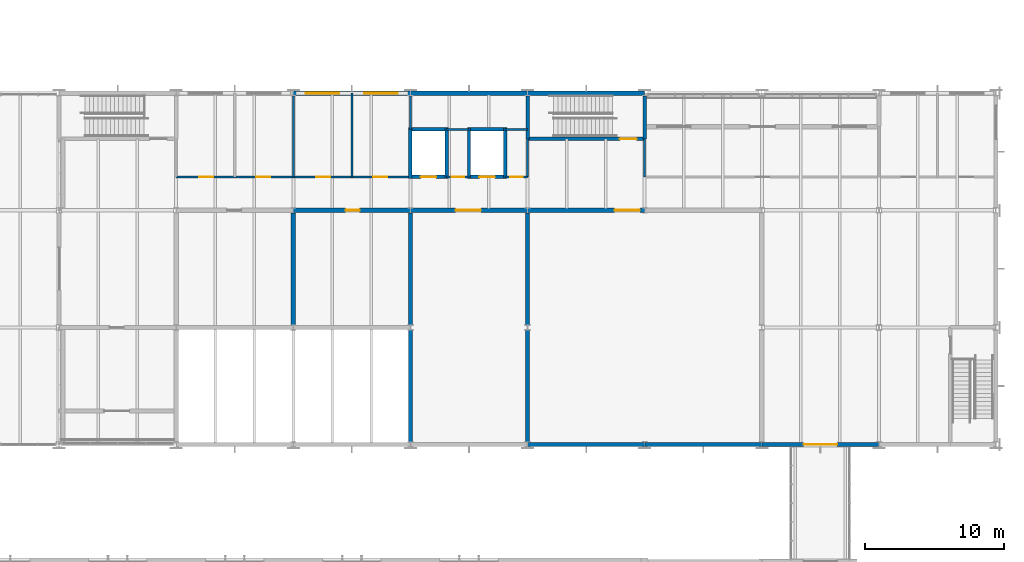
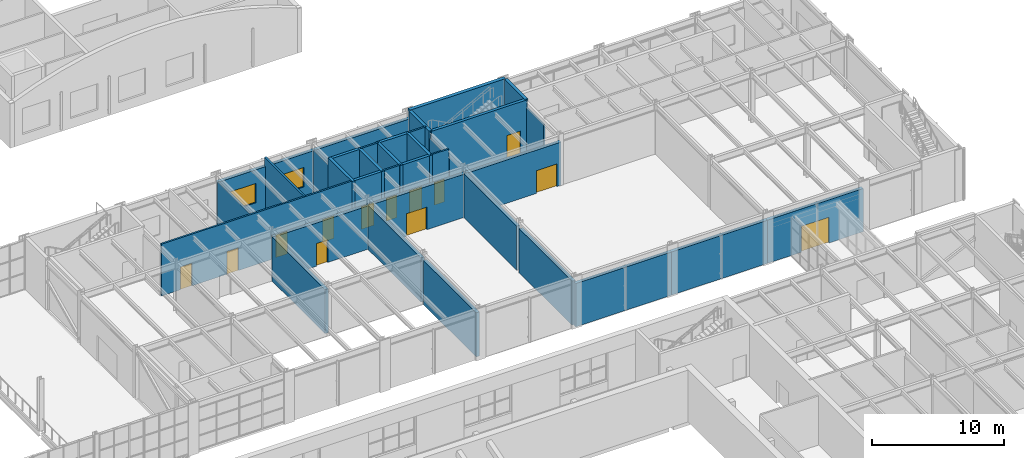
# One storey, part 82 of 127: 35 walls, 13 doors, 2 windows, 15 openings.
"""IFC4 building model written with IfcOpenShell, lengths in metres."""

from ifc_helpers import new_model, si_unit, direction, frame, frame_2d, origin, place, context, subcontext, project, spatial, rectangle, extrude, material, layer, layer_set, type_object, element, fill, save


model = new_model("IFC4")

# Units and contexts
model_context = context("Model", 3, precision=1e-05, world=origin(), true_north=direction((0.0, 1.0)))
body_context = subcontext(model_context, "Body", "Model", "MODEL_VIEW")
ifc_project = project(units=[si_unit("LENGTHUNIT", "METRE"), si_unit("AREAUNIT", "SQUARE_METRE"), si_unit("VOLUMEUNIT", "CUBIC_METRE"), si_unit("PLANEANGLEUNIT", "RADIAN"), si_unit("MASSUNIT", "GRAM", prefix="KILO")], contexts=[model_context])

# Site, building, storey
site_placement = place(None, origin())
site = spatial("IfcSite", under=ifc_project, at=site_placement, CompositionType="ELEMENT")
building_placement = place(site_placement, origin())
building = spatial("IfcBuilding", under=site, at=building_placement, Name="Ljudholm Concert House", CompositionType="ELEMENT")
storey_placement = place(building_placement, frame((0.0, 0.0, 5.39990234375)))
storey = spatial("IfcBuildingStorey", under=building, at=storey_placement, Name="L01", CompositionType="ELEMENT", Elevation=5.39990234375)

# Walls
ifc_material_1 = material(Name="Double gypsum board on staggered studs")
ifc_layer_1 = layer(ifc_material_1, 0.300048828125)
ifc_layer_set_1 = layer_set([ifc_layer_1], Name="Double gypsum board on staggered studs")
wall_type_1 = type_object("IfcWallType", Name="ACOUSTIC PARTITION 300", PredefinedType="PARTITIONING", material=ifc_layer_set_1)
wall_1_placement = place(storey_placement, frame((71.199951171875, 113.38671875, 0.0), z_axis=(0.0, 0.0, 1.0), x_axis=(0.0, 1.0, 0.0)))
element("IfcWall", 1, at=wall_1_placement, inside=storey, type_object=wall_type_1, Name="Acoustic partition", PredefinedType="PARTITIONING", context=body_context, shape_type="SweptSolid", body=[
    extrude(rectangle(XDim=8.026611328125, YDim=0.300048828125, at=frame_2d((4.01318359375, 0.0))), origin(), (0.0, 0.0, 1.0), 4.086669921875),
])
wall_2_placement = place(storey_placement, frame((79.60009765625, 104.986572265625, 0.0), z_axis=(0.0, 0.0, 1.0), x_axis=(0.0, 1.0, 0.0)))
element("IfcWall", 2, at=wall_2_placement, inside=storey, type_object=wall_type_1, Name="Acoustic partition", PredefinedType="PARTITIONING", context=body_context, shape_type="SweptSolid", body=[
    extrude(rectangle(XDim=8.02685546875, YDim=0.300048828125, at=frame_2d((4.013427734375, 0.0))), origin(), (0.0, 0.0, 1.0), 4.086669921875),
])
wall_3_placement = place(storey_placement, frame((79.60009765625, 113.38671875, 0.0), z_axis=(0.0, 0.0, 1.0), x_axis=(0.0, 1.0, 0.0)))
element("IfcWall", 3, at=wall_3_placement, inside=storey, type_object=wall_type_1, Name="Acoustic partition", PredefinedType="PARTITIONING", context=body_context, shape_type="SweptSolid", body=[
    extrude(rectangle(XDim=8.026611328125, YDim=0.300048828125, at=frame_2d((4.01318359375, 0.0))), origin(), (0.0, 0.0, 1.0), 4.086669921875),
])
wall_4_placement = place(storey_placement, frame((88.0, 104.986572265625, 0.0), z_axis=(0.0, 0.0, 1.0), x_axis=(0.0, 1.0, 0.0)))
element("IfcWall", 4, at=wall_4_placement, inside=storey, type_object=wall_type_1, Name="Acoustic partition", PredefinedType="PARTITIONING", context=body_context, shape_type="SweptSolid", body=[
    extrude(rectangle(XDim=8.02685546875, YDim=0.300048828125, at=frame_2d((4.013427734375, 0.0))), origin(), (0.0, 0.0, 1.0), 4.086669921875),
])
wall_5_placement = place(storey_placement, frame((88.0, 113.38671875, 0.0), z_axis=(0.0, 0.0, 1.0), x_axis=(0.0, 1.0, 0.0)))
element("IfcWall", 5, at=wall_5_placement, inside=storey, type_object=wall_type_1, Name="Acoustic partition", PredefinedType="PARTITIONING", context=body_context, shape_type="SweptSolid", body=[
    extrude(rectangle(XDim=8.026611328125, YDim=0.300048828125, at=frame_2d((4.01318359375, 0.0))), origin(), (0.0, 0.0, 1.0), 4.086669921875),
])

# Wall, opening, door
wall_6_placement = place(storey_placement, frame((71.19189453125, 121.60009765625, 0.0), z_axis=(0.0, 0.0, 1.0), x_axis=(1.0, 0.0, 0.0)))
wall_6 = element("IfcWall", 6, at=wall_6_placement, inside=storey, type_object=wall_type_1, Name="Acoustic partition", PredefinedType="PARTITIONING", context=body_context, shape_type="SweptSolid", body=[
    extrude(rectangle(XDim=8.416259765625, YDim=0.300048828125, at=frame_2d((4.2080078125, 0.0))), origin(), (0.0, 0.0, 1.0), 4.008056640625),
])
opening_1_placement = place(wall_6_placement, frame((3.75830078125, 0.0, 0.0)))
opening_1 = element("IfcOpeningElement", 7, at=opening_1_placement, cuts=wall_6, Name="Opening D-R01-010", PredefinedType="OPENING", context=body_context, shape_type="SweptSolid", body=[
    extrude(rectangle(XDim=1.0, YDim=2.10009765625, at=frame_2d((0.5, 1.050048828125))), frame((0.0, 0.159912109375, 0.0), z_axis=(0.0, -1.0, 0.0), x_axis=(1.0, 0.0, 0.0)), (0.0, 0.0, 1.0), 0.320068359375),
])
ifc_material_2 = material(Name="Hollow metal door in steel frame", Category="steel")
door_type_1 = type_object("IfcDoorType", Name="SWING DOOR 1000x2100", OperationType="SINGLE_SWING_LEFT", PredefinedType="DOOR", material=ifc_material_2)
door_1_placement = place(opening_1_placement, frame((1.0, 0.0, 0.0), z_axis=(0.0, 0.0, 1.0), x_axis=(-1.0, 0.0, 0.0)))
door_1 = element("IfcDoor", 8, at=door_1_placement, inside=storey, type_object=door_type_1, Name="Door", OperationType="SINGLE_SWING_LEFT", OverallHeight=2.10009765625, OverallWidth=1.0, PredefinedType="DOOR", context=body_context, shape_type="SweptSolid", body=[
    extrude(rectangle(XDim=1.0, YDim=2.10009765625, at=frame_2d((0.5, 1.050048828125))), frame((0.0, 0.02490234375, 0.0), z_axis=(0.0, -1.0, 0.0), x_axis=(1.0, 0.0, 0.0)), (0.0, 0.0, 1.0), 0.050048828125),
])
fill(opening_1, door_1)

wall_7_placement = place(storey_placement, frame((79.591796875, 121.60009765625, 0.0), z_axis=(0.0, 0.0, 1.0), x_axis=(1.0, 0.0, 0.0)))
wall_7 = element("IfcWall", 9, at=wall_7_placement, inside=storey, type_object=wall_type_1, Name="Acoustic partition", PredefinedType="PARTITIONING", context=body_context, shape_type="SweptSolid", body=[
    extrude(rectangle(XDim=8.41650390625, YDim=0.300048828125, at=frame_2d((4.208251953125, 0.0))), origin(), (0.0, 0.0, 1.0), 4.008056640625),
])
opening_2_placement = place(wall_7_placement, frame((3.25830078125, 0.0, 0.0)))
opening_2 = element("IfcOpeningElement", 10, at=opening_2_placement, cuts=wall_7, Name="Opening D-R01-011", PredefinedType="OPENING", context=body_context, shape_type="SweptSolid", body=[
    extrude(rectangle(XDim=1.800048828125, YDim=2.10009765625, at=frame_2d((0.89990234375, 1.050048828125))), frame((0.0, 0.159912109375, 0.0), z_axis=(0.0, -1.0, 0.0), x_axis=(1.0, 0.0, 0.0)), (0.0, 0.0, 1.0), 0.320068359375),
])
ifc_material_3 = material(Name="Hollow metal door in steel frame", Category="steel")
door_type_2 = type_object("IfcDoorType", Name="DOUBLE DOOR 1800x2100", OperationType="DOUBLE_DOOR_SINGLE_SWING", PredefinedType="DOOR", material=ifc_material_3)
door_2_placement = place(opening_2_placement, frame((1.800048828125, 0.0, 0.0), z_axis=(0.0, 0.0, 1.0), x_axis=(-1.0, 0.0, 0.0)))
door_2 = element("IfcDoor", 11, at=door_2_placement, inside=storey, type_object=door_type_2, Name="Door", OperationType="DOUBLE_DOOR_SINGLE_SWING", OverallHeight=2.10009765625, OverallWidth=1.800048828125, PredefinedType="DOOR", context=body_context, shape_type="SweptSolid", body=[
    extrude(rectangle(XDim=1.800048828125, YDim=2.10009765625, at=frame_2d((0.89990234375, 1.050048828125))), frame((0.0, 0.02490234375, 0.0), z_axis=(0.0, -1.0, 0.0), x_axis=(1.0, 0.0, 0.0)), (0.0, 0.0, 1.0), 0.050048828125),
])
fill(opening_2, door_2)

wall_8_placement = place(storey_placement, frame((87.99169921875, 121.60009765625, 0.0), z_axis=(0.0, 0.0, 1.0), x_axis=(1.0, 0.0, 0.0)))
wall_8 = element("IfcWall", 12, at=wall_8_placement, inside=storey, type_object=wall_type_1, Name="Acoustic partition", PredefinedType="PARTITIONING", context=body_context, shape_type="SweptSolid", body=[
    extrude(rectangle(XDim=8.41650390625, YDim=0.300048828125, at=frame_2d((4.208251953125, 0.0))), origin(), (0.0, 0.0, 1.0), 4.008056640625),
])
opening_3_placement = place(wall_8_placement, frame((6.25830078125, 0.0, 0.0)))
opening_3 = element("IfcOpeningElement", 13, at=opening_3_placement, cuts=wall_8, Name="Opening D-R01-012", PredefinedType="OPENING", context=body_context, shape_type="SweptSolid", body=[
    extrude(rectangle(XDim=1.800048828125, YDim=2.10009765625, at=frame_2d((0.89990234375, 1.050048828125))), frame((0.0, 0.159912109375, 0.0), z_axis=(0.0, -1.0, 0.0), x_axis=(1.0, 0.0, 0.0)), (0.0, 0.0, 1.0), 0.320068359375),
])
door_3_placement = place(opening_3_placement, frame((1.800048828125, 0.0, 0.0), z_axis=(0.0, 0.0, 1.0), x_axis=(-1.0, 0.0, 0.0)))
door_3 = element("IfcDoor", 14, at=door_3_placement, inside=storey, type_object=door_type_2, Name="Door", OperationType="DOUBLE_DOOR_SINGLE_SWING", OverallHeight=2.10009765625, OverallWidth=1.800048828125, PredefinedType="DOOR", context=body_context, shape_type="SweptSolid", body=[
    extrude(rectangle(XDim=1.800048828125, YDim=2.10009765625, at=frame_2d((0.89990234375, 1.050048828125))), frame((0.0, 0.02490234375, 0.0), z_axis=(0.0, -1.0, 0.0), x_axis=(1.0, 0.0, 0.0)), (0.0, 0.0, 1.0), 0.050048828125),
])
fill(opening_3, door_3)

# Walls
ifc_material_4 = material(Name="Gypsum board on steel studs", Category="steel")
ifc_layer_2 = layer(ifc_material_4, 0.14990234375)
ifc_layer_set_2 = layer_set([ifc_layer_2], Name="Gypsum board on steel studs")
wall_type_2 = type_object("IfcWallType", Name="GYPSUM PARTITION 150", PredefinedType="PARTITIONING", material=ifc_layer_set_2)
wall_9_placement = place(storey_placement, frame((71.199951171875, 124.0, 0.0), z_axis=(0.0, 0.0, 1.0), x_axis=(0.0, 1.0, 0.0)))
element("IfcWall", 15, at=wall_9_placement, inside=storey, type_object=wall_type_2, Name="Partition", PredefinedType="PARTITIONING", context=body_context, shape_type="SweptSolid", body=[
    extrude(rectangle(XDim=5.813232421875, YDim=0.14990234375, at=frame_2d((2.90673828125, 0.0))), origin(), (0.0, 0.0, 1.0), 4.086669921875),
])
wall_10_placement = place(storey_placement, frame((75.39990234375, 124.0, 0.0), z_axis=(0.0, 0.0, 1.0), x_axis=(0.0, 1.0, 0.0)))
element("IfcWall", 16, at=wall_10_placement, inside=storey, type_object=wall_type_2, Name="Partition", PredefinedType="PARTITIONING", context=body_context, shape_type="SweptSolid", body=[
    extrude(rectangle(XDim=6.0, YDim=0.14990234375, at=frame_2d((3.0, 0.0))), origin(), (0.0, 0.0, 1.0), 4.800048828125),
])
wall_11_placement = place(storey_placement, frame((79.60009765625, 127.39990234375, 0.0), z_axis=(0.0, 0.0, 1.0), x_axis=(0.0, 1.0, 0.0)))
element("IfcWall", 17, at=wall_11_placement, inside=storey, type_object=wall_type_2, Name="Partition", PredefinedType="PARTITIONING", context=body_context, shape_type="SweptSolid", body=[
    extrude(rectangle(XDim=2.413330078125, YDim=0.14990234375, at=frame_2d((1.20654296875, 0.0))), origin(), (0.0, 0.0, 1.0), 4.086669921875),
])
for number, where, z_axis, x_axis, name in (
    (18, (88.0, 124.0, 0.0), (0.0, 0.0, 1.0), (0.0, 1.0, 0.0), "Partition"),
    (19, (96.39990234375, 124.0, 0.0), (0.0, 0.0, 1.0), (0.0, 1.0, 0.0), "Partition"),
):
    element("IfcWall", number, at=place(storey_placement, frame(where, z_axis=z_axis, x_axis=x_axis)), inside=storey, type_object=wall_type_2, Name=name, PredefinedType="PARTITIONING", context=body_context, shape_type="SweptSolid", body=[
        extrude(rectangle(XDim=2.72509765625, YDim=0.14990234375, at=frame_2d((1.362548828125, 0.0))), origin(), (0.0, 0.0, 1.0), 4.086669921875),
    ])

# Wall, openings, doors
wall_12_placement = place(storey_placement, frame((62.800048828125, 124.0, 0.0), z_axis=(0.0, 0.0, 1.0), x_axis=(1.0, 0.0, 0.0)))
wall_12 = element("IfcWall", 20, at=wall_12_placement, inside=storey, type_object=wall_type_2, Name="Partition", PredefinedType="PARTITIONING", context=body_context, shape_type="SweptSolid", body=[
    extrude(rectangle(XDim=16.800048828125, YDim=0.14990234375, at=frame_2d((8.39990234375, 0.0))), origin(), (0.0, 0.0, 1.0), 4.800048828125),
])
opening_4_placement = place(wall_12_placement, frame((1.64990234375, 0.0, 0.0)))
opening_4 = element("IfcOpeningElement", 21, at=opening_4_placement, cuts=wall_12, Name="Opening D-R01-014", PredefinedType="OPENING", context=body_context, shape_type="SweptSolid", body=[
    extrude(rectangle(XDim=1.0, YDim=2.10009765625, at=frame_2d((0.5, 1.050048828125))), frame((0.0, 0.0849609375, 0.0), z_axis=(0.0, -1.0, 0.0), x_axis=(1.0, 0.0, 0.0)), (0.0, 0.0, 1.0), 0.169921875),
])
opening_5_placement = place(wall_12_placement, frame((5.75, 0.0, 0.0)))
opening_5 = element("IfcOpeningElement", 22, at=opening_5_placement, cuts=wall_12, Name="Opening D-R01-015", PredefinedType="OPENING", context=body_context, shape_type="SweptSolid", body=[
    extrude(rectangle(XDim=1.0, YDim=2.10009765625, at=frame_2d((0.5, 1.050048828125))), frame((0.0, 0.0849609375, 0.0), z_axis=(0.0, -1.0, 0.0), x_axis=(1.0, 0.0, 0.0)), (0.0, 0.0, 1.0), 0.169921875),
])
opening_6_placement = place(wall_12_placement, frame((10.050048828125, 0.0, 0.0)))
opening_6 = element("IfcOpeningElement", 23, at=opening_6_placement, cuts=wall_12, Name="Opening D-R01-016", PredefinedType="OPENING", context=body_context, shape_type="SweptSolid", body=[
    extrude(rectangle(XDim=1.0, YDim=2.10009765625, at=frame_2d((0.5, 1.050048828125))), frame((0.0, 0.0849609375, 0.0), z_axis=(0.0, -1.0, 0.0), x_axis=(1.0, 0.0, 0.0)), (0.0, 0.0, 1.0), 0.169921875),
])
opening_7_placement = place(wall_12_placement, frame((14.14990234375, 0.0, 0.0)))
opening_7 = element("IfcOpeningElement", 24, at=opening_7_placement, cuts=wall_12, Name="Opening D-R01-017", PredefinedType="OPENING", context=body_context, shape_type="SweptSolid", body=[
    extrude(rectangle(XDim=1.0, YDim=2.10009765625, at=frame_2d((0.5, 1.050048828125))), frame((0.0, 0.0849609375, 0.0), z_axis=(0.0, -1.0, 0.0), x_axis=(1.0, 0.0, 0.0)), (0.0, 0.0, 1.0), 0.169921875),
])
door_4_placement = place(opening_4_placement, origin())
door_4 = element("IfcDoor", 25, at=door_4_placement, inside=storey, type_object=door_type_1, Name="Door", OperationType="SINGLE_SWING_RIGHT", OverallHeight=2.10009765625, OverallWidth=1.0, PredefinedType="DOOR", context=body_context, shape_type="SweptSolid", body=[
    extrude(rectangle(XDim=1.0, YDim=2.10009765625, at=frame_2d((0.5, 1.050048828125))), frame((0.0, 0.02490234375, 0.0), z_axis=(0.0, -1.0, 0.0), x_axis=(1.0, 0.0, 0.0)), (0.0, 0.0, 1.0), 0.050048828125),
])
fill(opening_4, door_4)
door_5_placement = place(opening_5_placement, origin())
door_5 = element("IfcDoor", 26, at=door_5_placement, inside=storey, type_object=door_type_1, Name="Door", OperationType="SINGLE_SWING_LEFT", OverallHeight=2.10009765625, OverallWidth=1.0, PredefinedType="DOOR", context=body_context, shape_type="SweptSolid", body=[
    extrude(rectangle(XDim=1.0, YDim=2.10009765625, at=frame_2d((0.5, 1.050048828125))), frame((0.0, 0.02490234375, 0.0), z_axis=(0.0, -1.0, 0.0), x_axis=(1.0, 0.0, 0.0)), (0.0, 0.0, 1.0), 0.050048828125),
])
fill(opening_5, door_5)
door_6_placement = place(opening_6_placement, origin())
door_6 = element("IfcDoor", 27, at=door_6_placement, inside=storey, type_object=door_type_1, Name="Door", OperationType="SINGLE_SWING_LEFT", OverallHeight=2.10009765625, OverallWidth=1.0, PredefinedType="DOOR", context=body_context, shape_type="SweptSolid", body=[
    extrude(rectangle(XDim=1.0, YDim=2.10009765625, at=frame_2d((0.5, 1.050048828125))), frame((0.0, 0.02490234375, 0.0), z_axis=(0.0, -1.0, 0.0), x_axis=(1.0, 0.0, 0.0)), (0.0, 0.0, 1.0), 0.050048828125),
])
fill(opening_6, door_6)
door_7_placement = place(opening_7_placement, origin())
door_7 = element("IfcDoor", 28, at=door_7_placement, inside=storey, type_object=door_type_1, Name="Door", OperationType="SINGLE_SWING_RIGHT", OverallHeight=2.10009765625, OverallWidth=1.0, PredefinedType="DOOR", context=body_context, shape_type="SweptSolid", body=[
    extrude(rectangle(XDim=1.0, YDim=2.10009765625, at=frame_2d((0.5, 1.050048828125))), frame((0.0, 0.02490234375, 0.0), z_axis=(0.0, -1.0, 0.0), x_axis=(1.0, 0.0, 0.0)), (0.0, 0.0, 1.0), 0.050048828125),
])
fill(opening_7, door_7)

# Wall, opening, door
wall_13_placement = place(storey_placement, frame((82.199951171875, 124.0, 0.0), z_axis=(0.0, 0.0, 1.0), x_axis=(1.0, 0.0, 0.0)))
wall_13 = element("IfcWall", 29, at=wall_13_placement, inside=storey, type_object=wall_type_2, Name="Partition", PredefinedType="PARTITIONING", context=body_context, shape_type="SweptSolid", body=[
    extrude(rectangle(XDim=1.60009765625, YDim=0.14990234375, at=frame_2d((0.800048828125, 0.0))), origin(), (0.0, 0.0, 1.0), 4.800048828125),
])
opening_8_placement = place(wall_13_placement, frame((0.35009765625, 0.0, 0.0)))
opening_8 = element("IfcOpeningElement", 30, at=opening_8_placement, cuts=wall_13, Name="Opening D-R01-006", PredefinedType="OPENING", context=body_context, shape_type="SweptSolid", body=[
    extrude(rectangle(XDim=0.89990234375, YDim=2.10009765625, at=frame_2d((0.449951171875, 1.050048828125))), frame((0.0, 0.0849609375, 0.0), z_axis=(0.0, -1.0, 0.0), x_axis=(1.0, 0.0, 0.0)), (0.0, 0.0, 1.0), 0.169921875),
])
ifc_material_5 = material(Name="Hollow metal door in steel frame", Category="steel")
door_type_3 = type_object("IfcDoorType", Name="SWING DOOR 900x2100", OperationType="SINGLE_SWING_LEFT", PredefinedType="DOOR", material=ifc_material_5)
door_8_placement = place(opening_8_placement, origin())
door_8 = element("IfcDoor", 31, at=door_8_placement, inside=storey, type_object=door_type_3, Name="Door", OperationType="SINGLE_SWING_RIGHT", OverallHeight=2.10009765625, OverallWidth=0.89990234375, PredefinedType="DOOR", context=body_context, shape_type="SweptSolid", body=[
    extrude(rectangle(XDim=0.89990234375, YDim=2.10009765625, at=frame_2d((0.449951171875, 1.050048828125))), frame((0.0, 0.02490234375, 0.0), z_axis=(0.0, -1.0, 0.0), x_axis=(1.0, 0.0, 0.0)), (0.0, 0.0, 1.0), 0.050048828125),
])
fill(opening_8, door_8)

wall_14_placement = place(storey_placement, frame((86.39990234375, 124.0, 0.0), z_axis=(0.0, 0.0, 1.0), x_axis=(1.0, 0.0, 0.0)))
wall_14 = element("IfcWall", 32, at=wall_14_placement, inside=storey, type_object=wall_type_2, Name="Partition", PredefinedType="PARTITIONING", context=body_context, shape_type="SweptSolid", body=[
    extrude(rectangle(XDim=1.60009765625, YDim=0.14990234375, at=frame_2d((0.800048828125, 0.0))), origin(), (0.0, 0.0, 1.0), 4.800048828125),
])
opening_9_placement = place(wall_14_placement, frame((0.35009765625, 0.0, 0.0)))
opening_9 = element("IfcOpeningElement", 33, at=opening_9_placement, cuts=wall_14, Name="Opening D-R01-007", PredefinedType="OPENING", context=body_context, shape_type="SweptSolid", body=[
    extrude(rectangle(XDim=0.89990234375, YDim=2.10009765625, at=frame_2d((0.449951171875, 1.050048828125))), frame((0.0, 0.0849609375, 0.0), z_axis=(0.0, -1.0, 0.0), x_axis=(1.0, 0.0, 0.0)), (0.0, 0.0, 1.0), 0.169921875),
])
door_9_placement = place(opening_9_placement, origin())
door_9 = element("IfcDoor", 34, at=door_9_placement, inside=storey, type_object=door_type_3, Name="Door", OperationType="SINGLE_SWING_LEFT", OverallHeight=2.10009765625, OverallWidth=0.89990234375, PredefinedType="DOOR", context=body_context, shape_type="SweptSolid", body=[
    extrude(rectangle(XDim=0.89990234375, YDim=2.10009765625, at=frame_2d((0.449951171875, 1.050048828125))), frame((0.0, 0.02490234375, 0.0), z_axis=(0.0, -1.0, 0.0), x_axis=(1.0, 0.0, 0.0)), (0.0, 0.0, 1.0), 0.050048828125),
])
fill(opening_9, door_9)

# Walls
for number, where, z_axis, x_axis, name in (
    (35, (82.199951171875, 127.39990234375, 0.0), (0.0, 0.0, 1.0), (1.0, 0.0, 0.0), "Partition"),
    (36, (86.39990234375, 127.39990234375, 0.0), (0.0, 0.0, 1.0), (1.0, 0.0, 0.0), "Partition"),
):
    element("IfcWall", number, at=place(storey_placement, frame(where, z_axis=z_axis, x_axis=x_axis)), inside=storey, type_object=wall_type_2, Name=name, PredefinedType="PARTITIONING", context=body_context, shape_type="SweptSolid", body=[
        extrude(rectangle(XDim=1.60009765625, YDim=0.14990234375, at=frame_2d((0.800048828125, 0.0))), origin(), (0.0, 0.0, 1.0), 4.800048828125),
    ])
ifc_material_6 = material(Name="Precast concrete 5,000 psi", Category="concrete")
ifc_layer_3 = layer(ifc_material_6, 0.300048828125)
ifc_layer_set_3 = layer_set([ifc_layer_3], Name="Precast concrete 5,000 psi")
wall_type_3 = type_object("IfcWallType", Name="PRECAST PANEL WALL 300", PredefinedType="SOLIDWALL", material=ifc_layer_set_3)
wall_15_placement = place(storey_placement, frame((87.99169921875, 104.800048828125, 0.0), z_axis=(0.0, 0.0, 1.0), x_axis=(1.0, 0.0, 0.0)))
element("IfcWall", 37, at=wall_15_placement, inside=storey, type_object=wall_type_3, Name="Facade wall", PredefinedType="SOLIDWALL", context=body_context, shape_type="SweptSolid", body=[
    extrude(rectangle(XDim=8.41650390625, YDim=0.300048828125, at=frame_2d((4.208251953125, 0.0))), origin(), (0.0, 0.0, 1.0), 4.008056640625),
])
wall_16_placement = place(storey_placement, frame((96.391845703125, 104.800048828125, 0.0), z_axis=(0.0, 0.0, 1.0), x_axis=(1.0, 0.0, 0.0)))
element("IfcWall", 38, at=wall_16_placement, inside=storey, type_object=wall_type_3, Name="Facade wall", PredefinedType="SOLIDWALL", context=body_context, shape_type="SweptSolid", body=[
    extrude(rectangle(XDim=8.416259765625, YDim=0.300048828125, at=frame_2d((4.2080078125, 0.0))), origin(), (0.0, 0.0, 1.0), 4.008056640625),
])

# Wall, opening, door
wall_17_placement = place(storey_placement, frame((104.791748046875, 104.800048828125, 0.0), z_axis=(0.0, 0.0, 1.0), x_axis=(1.0, 0.0, 0.0)))
wall_17 = element("IfcWall", 39, at=wall_17_placement, inside=storey, type_object=wall_type_3, Name="Facade wall", PredefinedType="SOLIDWALL", context=body_context, shape_type="SweptSolid", body=[
    extrude(rectangle(XDim=8.41650390625, YDim=0.300048828125, at=frame_2d((4.208251953125, 0.0))), origin(), (0.0, 0.0, 1.0), 4.008056640625),
])
opening_10_placement = place(wall_17_placement, frame((3.00830078125, 0.0, 0.0)))
opening_10 = element("IfcOpeningElement", 40, at=opening_10_placement, cuts=wall_17, Name="Opening D-R01-022", PredefinedType="OPENING", context=body_context, shape_type="SweptSolid", body=[
    extrude(rectangle(XDim=2.39990234375, YDim=2.39990234375, at=frame_2d((1.199951171875, 1.199951171875))), frame((0.0, 0.159912109375, 0.0), z_axis=(0.0, -1.0, 0.0), x_axis=(1.0, 0.0, 0.0)), (0.0, 0.0, 1.0), 0.320068359375),
])
ifc_material_7 = material(Name="Hollow metal door in steel frame", Category="steel")
door_type_4 = type_object("IfcDoorType", Name="DOUBLE DOOR 2400x2400", OperationType="DOUBLE_DOOR_SINGLE_SWING", PredefinedType="DOOR", material=ifc_material_7)
door_10_placement = place(opening_10_placement, frame((2.39990234375, 0.0, 0.0), z_axis=(0.0, 0.0, 1.0), x_axis=(-1.0, 0.0, 0.0)))
door_10 = element("IfcDoor", 41, at=door_10_placement, inside=storey, type_object=door_type_4, Name="Bridge door", OperationType="DOUBLE_DOOR_SINGLE_SWING", OverallHeight=2.39990234375, OverallWidth=2.39990234375, PredefinedType="DOOR", context=body_context, shape_type="SweptSolid", body=[
    extrude(rectangle(XDim=2.39990234375, YDim=2.39990234375, at=frame_2d((1.199951171875, 1.199951171875))), frame((0.0, 0.02490234375, 0.0), z_axis=(0.0, -1.0, 0.0), x_axis=(1.0, 0.0, 0.0)), (0.0, 0.0, 1.0), 0.050048828125),
])
fill(opening_10, door_10)

# Wall, openings, windows
wall_18_placement = place(storey_placement, frame((71.19189453125, 130.0, 0.0), z_axis=(0.0, 0.0, 1.0), x_axis=(1.0, 0.0, 0.0)))
wall_18 = element("IfcWall", 42, at=wall_18_placement, inside=storey, type_object=wall_type_3, Name="Facade wall", PredefinedType="SOLIDWALL", context=body_context, shape_type="SweptSolid", body=[
    extrude(rectangle(XDim=8.416259765625, YDim=0.300048828125, at=frame_2d((4.2080078125, 0.0))), origin(), (0.0, 0.0, 1.0), 4.008056640625),
])
opening_11_placement = place(wall_18_placement, frame((0.908203125, 0.0, 0.949951171875)))
opening_11 = element("IfcOpeningElement", 43, at=opening_11_placement, cuts=wall_18, Name="Opening X-R01-003", PredefinedType="OPENING", context=body_context, shape_type="SweptSolid", body=[
    extrude(rectangle(XDim=2.39990234375, YDim=1.800048828125, at=frame_2d((1.199951171875, 0.89990234375))), frame((0.0, 0.159912109375, 0.0), z_axis=(0.0, -1.0, 0.0), x_axis=(1.0, 0.0, 0.0)), (0.0, 0.0, 1.0), 0.320068359375),
])
opening_12_placement = place(wall_18_placement, frame((5.108154296875, 0.0, 0.949951171875)))
opening_12 = element("IfcOpeningElement", 44, at=opening_12_placement, cuts=wall_18, Name="Opening X-R01-004", PredefinedType="OPENING", context=body_context, shape_type="SweptSolid", body=[
    extrude(rectangle(XDim=2.39990234375, YDim=1.800048828125, at=frame_2d((1.199951171875, 0.89990234375))), frame((0.0, 0.159912109375, 0.0), z_axis=(0.0, -1.0, 0.0), x_axis=(1.0, 0.0, 0.0)), (0.0, 0.0, 1.0), 0.320068359375),
])
ifc_material_8 = material(Name="Aluminium frame, impact glazing", Category="aluminium")
window_type = type_object("IfcWindowType", Name="CASEMENT WINDOW 2400x1800", PartitioningType="DOUBLE_PANEL_VERTICAL", PredefinedType="WINDOW", material=ifc_material_8)
window_1_placement = place(opening_11_placement, origin())
window_1 = element("IfcWindow", 45, at=window_1_placement, inside=storey, type_object=window_type, Name="Window", OverallHeight=1.800048828125, OverallWidth=2.39990234375, PartitioningType="DOUBLE_PANEL_VERTICAL", PredefinedType="WINDOW", context=body_context, shape_type="SweptSolid", body=[
    extrude(rectangle(XDim=2.39990234375, YDim=1.800048828125, at=frame_2d((1.199951171875, 0.89990234375))), frame((0.0, 0.030029296875, 0.0), z_axis=(0.0, -1.0, 0.0), x_axis=(1.0, 0.0, 0.0)), (0.0, 0.0, 1.0), 0.06005859375),
])
fill(opening_11, window_1)
window_2_placement = place(opening_12_placement, origin())
window_2 = element("IfcWindow", 46, at=window_2_placement, inside=storey, type_object=window_type, Name="Window", OverallHeight=1.800048828125, OverallWidth=2.39990234375, PartitioningType="DOUBLE_PANEL_VERTICAL", PredefinedType="WINDOW", context=body_context, shape_type="SweptSolid", body=[
    extrude(rectangle(XDim=2.39990234375, YDim=1.800048828125, at=frame_2d((1.199951171875, 0.89990234375))), frame((0.0, 0.030029296875, 0.0), z_axis=(0.0, -1.0, 0.0), x_axis=(1.0, 0.0, 0.0)), (0.0, 0.0, 1.0), 0.06005859375),
])
fill(opening_12, window_2)

# Walls
wall_19_placement = place(storey_placement, frame((79.591796875, 130.0, 0.0), z_axis=(0.0, 0.0, 1.0), x_axis=(1.0, 0.0, 0.0)))
element("IfcWall", 47, at=wall_19_placement, inside=storey, type_object=wall_type_3, Name="Facade wall", PredefinedType="SOLIDWALL", context=body_context, shape_type="SweptSolid", body=[
    extrude(rectangle(XDim=8.41650390625, YDim=0.300048828125, at=frame_2d((4.208251953125, 0.0))), origin(), (0.0, 0.0, 1.0), 4.008056640625),
])
ifc_material_9 = material(Name="Concrete 6,500 psi", Category="concrete")
ifc_layer_4 = layer(ifc_material_9, 0.25)
ifc_layer_set_4 = layer_set([ifc_layer_4], Name="Concrete 6,500 psi")
wall_type_4 = type_object("IfcWallType", Name="RC CORE WALL 250", PredefinedType="SHEAR", material=ifc_layer_set_4)
for number, where, z_axis, x_axis, name in (
    (48, (88.0, 126.72509765625, 0.0), (0.0, 0.0, 1.0), (0.0, 1.0, 0.0), "Stair core wall"),
    (49, (96.39990234375, 126.72509765625, 0.0), (0.0, 0.0, 1.0), (0.0, 1.0, 0.0), "Stair core wall"),
):
    element("IfcWall", number, at=place(storey_placement, frame(where, z_axis=z_axis, x_axis=x_axis)), inside=storey, type_object=wall_type_4, Name=name, PredefinedType="SHEAR", context=body_context, shape_type="SweptSolid", body=[
        extrude(rectangle(XDim=3.088134765625, YDim=0.25, at=frame_2d((1.5439453125, 0.0))), origin(), (0.0, 0.0, 1.0), 4.800048828125),
    ])

# Wall, opening, door
wall_20_placement = place(storey_placement, frame((88.0, 126.72509765625, 0.0), z_axis=(0.0, 0.0, 1.0), x_axis=(1.0, 0.0, 0.0)))
wall_20 = element("IfcWall", 50, at=wall_20_placement, inside=storey, type_object=wall_type_4, Name="Stair core wall", PredefinedType="SHEAR", context=body_context, shape_type="SweptSolid", body=[
    extrude(rectangle(XDim=8.39990234375, YDim=0.25, at=frame_2d((4.199951171875, 0.0))), origin(), (0.0, 0.0, 1.0), 4.800048828125),
])
opening_13_placement = place(wall_20_placement, frame((6.625, 0.0, 0.0)))
opening_13 = element("IfcOpeningElement", 51, at=opening_13_placement, cuts=wall_20, Name="Opening D-R01-004", PredefinedType="OPENING", context=body_context, shape_type="SweptSolid", body=[
    extrude(rectangle(XDim=1.199951171875, YDim=2.10009765625, at=frame_2d((0.60009765625, 1.050048828125))), frame((0.0, 0.135009765625, 0.0), z_axis=(0.0, -1.0, 0.0), x_axis=(1.0, 0.0, 0.0)), (0.0, 0.0, 1.0), 0.27001953125),
])
ifc_material_10 = material(Name="Hollow metal door in steel frame", Category="steel")
door_type_5 = type_object("IfcDoorType", Name="SWING DOOR 1200x2100", OperationType="SINGLE_SWING_LEFT", PredefinedType="DOOR", material=ifc_material_10)
door_11_placement = place(opening_13_placement, frame((1.199951171875, 0.0, 0.0), z_axis=(0.0, 0.0, 1.0), x_axis=(-1.0, 0.0, 0.0)))
door_11 = element("IfcDoor", 52, at=door_11_placement, inside=storey, type_object=door_type_5, Name="Door", OperationType="SINGLE_SWING_LEFT", OverallHeight=2.10009765625, OverallWidth=1.199951171875, PredefinedType="DOOR", context=body_context, shape_type="SweptSolid", body=[
    extrude(rectangle(XDim=1.199951171875, YDim=2.10009765625, at=frame_2d((0.60009765625, 1.050048828125))), frame((0.0, 0.02490234375, 0.0), z_axis=(0.0, -1.0, 0.0), x_axis=(1.0, 0.0, 0.0)), (0.0, 0.0, 1.0), 0.050048828125),
])
fill(opening_13, door_11)

# Walls
ifc_material_11 = material(Name="Concrete 6,500 psi", Category="concrete")
ifc_layer_5 = layer(ifc_material_11, 0.300048828125)
ifc_layer_set_5 = layer_set([ifc_layer_5], Name="Concrete 6,500 psi")
wall_type_5 = type_object("IfcWallType", Name="RC CORE WALL 300", PredefinedType="SHEAR", material=ifc_layer_set_5)
wall_21_placement = place(storey_placement, frame((87.99169921875, 130.0, 0.0), z_axis=(0.0, 0.0, 1.0), x_axis=(1.0, 0.0, 0.0)))
element("IfcWall", 53, at=wall_21_placement, inside=storey, type_object=wall_type_5, Name="Stair core wall", PredefinedType="SHEAR", context=body_context, shape_type="SweptSolid", body=[
    extrude(rectangle(XDim=8.400146484375, YDim=0.300048828125, at=frame_2d((4.2001953125, 0.0))), origin(), (0.0, 0.0, 1.0), 4.800048828125),
])
ifc_material_12 = material(Name="Concrete 6,500 psi", Category="concrete")
ifc_layer_6 = layer(ifc_material_12, 0.25)
ifc_layer_set_6 = layer_set([ifc_layer_6], Name="Concrete 6,500 psi")
wall_type_6 = type_object("IfcWallType", Name="RC WALL 250", PredefinedType="SOLIDWALL", material=ifc_layer_set_6)
for number, where, z_axis, x_axis, name in (
    (54, (79.60009765625, 123.875, 0.0), (0.0, 0.0, 1.0), (0.0, 1.0, 0.0), "Lift shaft wall"),
    (55, (82.199951171875, 123.875, 0.0), (0.0, 0.0, 1.0), (0.0, 1.0, 0.0), "Lift shaft wall"),
):
    element("IfcWall", number, at=place(storey_placement, frame(where, z_axis=z_axis, x_axis=x_axis)), inside=storey, type_object=wall_type_6, Name=name, PredefinedType="SOLIDWALL", context=body_context, shape_type="SweptSolid", body=[
        extrude(rectangle(XDim=3.64990234375, YDim=0.25, at=frame_2d((1.824951171875, 0.0))), origin(), (0.0, 0.0, 1.0), 4.800048828125),
    ])

# Wall, opening, door
wall_22_placement = place(storey_placement, frame((79.72509765625, 124.0, 0.0), z_axis=(0.0, 0.0, 1.0), x_axis=(1.0, 0.0, 0.0)))
wall_22 = element("IfcWall", 56, at=wall_22_placement, inside=storey, type_object=wall_type_6, Name="Lift shaft wall", PredefinedType="SOLIDWALL", context=body_context, shape_type="SweptSolid", body=[
    extrude(rectangle(XDim=2.349853515625, YDim=0.25, at=frame_2d((1.1748046875, 0.0))), origin(), (0.0, 0.0, 1.0), 4.800048828125),
])
opening_14_placement = place(wall_22_placement, frame((0.625, 0.0, 0.0)))
opening_14 = element("IfcOpeningElement", 57, at=opening_14_placement, cuts=wall_22, Name="Opening LD-R01-001", PredefinedType="OPENING", context=body_context, shape_type="SweptSolid", body=[
    extrude(rectangle(XDim=1.10009765625, YDim=2.10009765625, at=frame_2d((0.550048828125, 1.050048828125))), frame((0.0, 0.135009765625, 0.0), z_axis=(0.0, -1.0, 0.0), x_axis=(1.0, 0.0, 0.0)), (0.0, 0.0, 1.0), 0.27001953125),
])
ifc_material_13 = material(Name="Stainless steel sliding landing door, fire-rated", Category="steel")
door_type_6 = type_object("IfcDoorType", Name="LIFT DOOR 1100x2100", OperationType="SLIDING_TO_LEFT", PredefinedType="DOOR", material=ifc_material_13)
door_12_placement = place(opening_14_placement, origin())
door_12 = element("IfcDoor", 58, at=door_12_placement, inside=storey, type_object=door_type_6, Name="Lift landing door", OperationType="SLIDING_TO_LEFT", OverallHeight=2.10009765625, OverallWidth=1.10009765625, PredefinedType="DOOR", context=body_context, shape_type="SweptSolid", body=[
    extrude(rectangle(XDim=1.10009765625, YDim=2.10009765625, at=frame_2d((0.550048828125, 1.050048828125))), frame((0.0, 0.02490234375, 0.0), z_axis=(0.0, -1.0, 0.0), x_axis=(1.0, 0.0, 0.0)), (0.0, 0.0, 1.0), 0.050048828125),
])
fill(opening_14, door_12)

# Walls
wall_23_placement = place(storey_placement, frame((79.72509765625, 127.39990234375, 0.0), z_axis=(0.0, 0.0, 1.0), x_axis=(1.0, 0.0, 0.0)))
element("IfcWall", 59, at=wall_23_placement, inside=storey, type_object=wall_type_6, Name="Lift shaft wall", PredefinedType="SOLIDWALL", context=body_context, shape_type="SweptSolid", body=[
    extrude(rectangle(XDim=2.349853515625, YDim=0.25, at=frame_2d((1.1748046875, 0.0))), origin(), (0.0, 0.0, 1.0), 4.800048828125),
])
for number, where, z_axis, x_axis, name in (
    (60, (83.800048828125, 123.875, 0.0), (0.0, 0.0, 1.0), (0.0, 1.0, 0.0), "Lift shaft wall"),
    (61, (86.39990234375, 123.875, 0.0), (0.0, 0.0, 1.0), (0.0, 1.0, 0.0), "Lift shaft wall"),
):
    element("IfcWall", number, at=place(storey_placement, frame(where, z_axis=z_axis, x_axis=x_axis)), inside=storey, type_object=wall_type_6, Name=name, PredefinedType="SOLIDWALL", context=body_context, shape_type="SweptSolid", body=[
        extrude(rectangle(XDim=3.64990234375, YDim=0.25, at=frame_2d((1.824951171875, 0.0))), origin(), (0.0, 0.0, 1.0), 4.800048828125),
    ])

# Wall, opening, door
wall_24_placement = place(storey_placement, frame((83.925048828125, 124.0, 0.0), z_axis=(0.0, 0.0, 1.0), x_axis=(1.0, 0.0, 0.0)))
wall_24 = element("IfcWall", 62, at=wall_24_placement, inside=storey, type_object=wall_type_6, Name="Lift shaft wall", PredefinedType="SOLIDWALL", context=body_context, shape_type="SweptSolid", body=[
    extrude(rectangle(XDim=2.349853515625, YDim=0.25, at=frame_2d((1.1748046875, 0.0))), origin(), (0.0, 0.0, 1.0), 4.800048828125),
])
opening_15_placement = place(wall_24_placement, frame((0.625, 0.0, 0.0)))
opening_15 = element("IfcOpeningElement", 63, at=opening_15_placement, cuts=wall_24, Name="Opening LD-R01-002", PredefinedType="OPENING", context=body_context, shape_type="SweptSolid", body=[
    extrude(rectangle(XDim=1.10009765625, YDim=2.10009765625, at=frame_2d((0.550048828125, 1.050048828125))), frame((0.0, 0.135009765625, 0.0), z_axis=(0.0, -1.0, 0.0), x_axis=(1.0, 0.0, 0.0)), (0.0, 0.0, 1.0), 0.27001953125),
])
door_13_placement = place(opening_15_placement, origin())
door_13 = element("IfcDoor", 64, at=door_13_placement, inside=storey, type_object=door_type_6, Name="Lift landing door", OperationType="SLIDING_TO_LEFT", OverallHeight=2.10009765625, OverallWidth=1.10009765625, PredefinedType="DOOR", context=body_context, shape_type="SweptSolid", body=[
    extrude(rectangle(XDim=1.10009765625, YDim=2.10009765625, at=frame_2d((0.550048828125, 1.050048828125))), frame((0.0, 0.02490234375, 0.0), z_axis=(0.0, -1.0, 0.0), x_axis=(1.0, 0.0, 0.0)), (0.0, 0.0, 1.0), 0.050048828125),
])
fill(opening_15, door_13)

# Wall
wall_25_placement = place(storey_placement, frame((83.925048828125, 127.39990234375, 0.0), z_axis=(0.0, 0.0, 1.0), x_axis=(1.0, 0.0, 0.0)))
element("IfcWall", 65, at=wall_25_placement, inside=storey, type_object=wall_type_6, Name="Lift shaft wall", PredefinedType="SOLIDWALL", context=body_context, shape_type="SweptSolid", body=[
    extrude(rectangle(XDim=2.349853515625, YDim=0.25, at=frame_2d((1.1748046875, 0.0))), origin(), (0.0, 0.0, 1.0), 4.800048828125),
])

save(model, "model.ifc")
